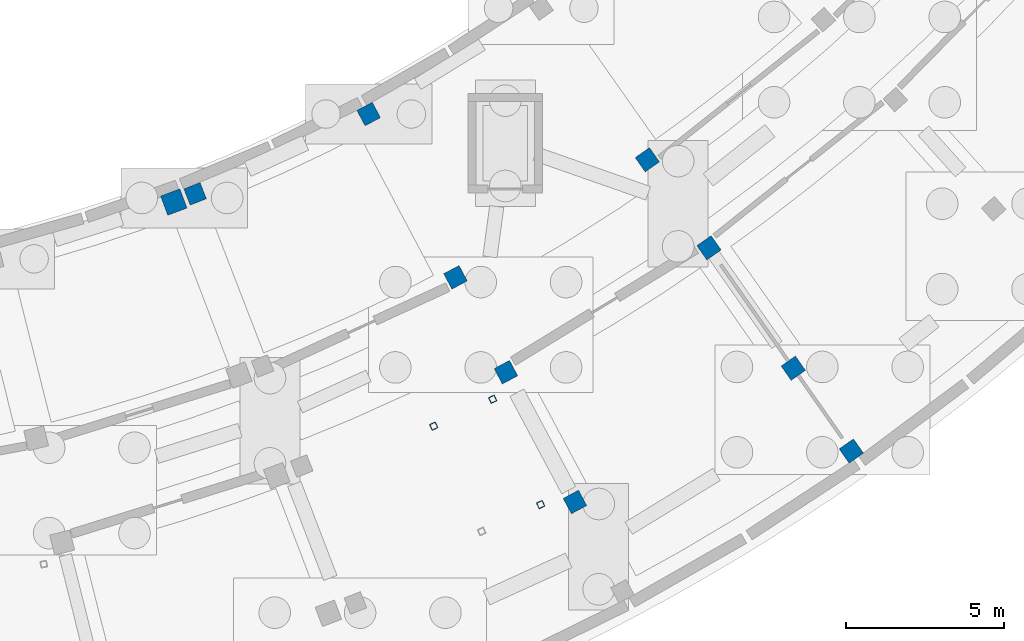
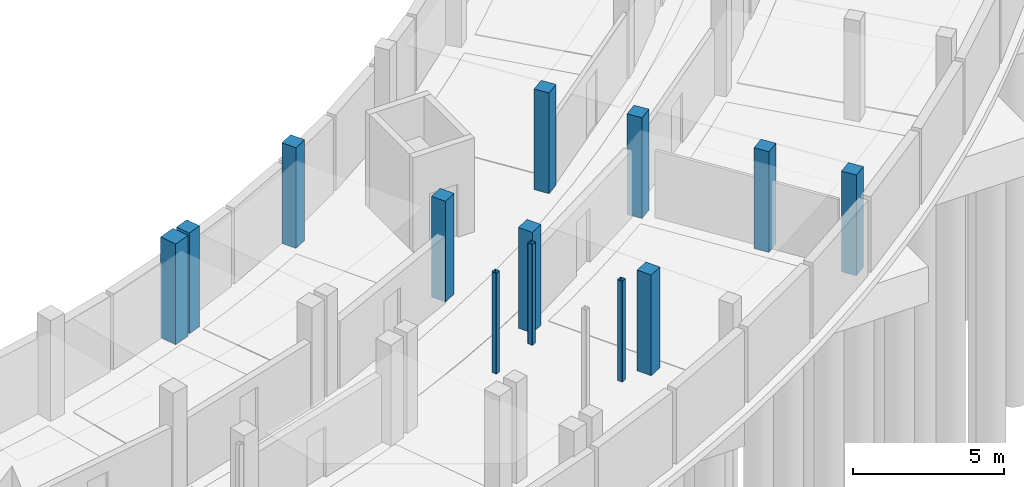
# One storey, part 21 of 58: 13 columns.
"""IFC4 building model written with IfcOpenShell, lengths in metres."""

from ifc_helpers import new_model, si_unit, direction, frame, origin, origin_2d, place, context, subcontext, project, spatial, rectangle, hollow_rectangle, extrude, material, material_profile, profile_set, type_object, element, save


model = new_model("IFC4")

# Units and contexts
model_context = context("Model", 3, precision=1e-05, world=origin(), true_north=direction((0.0, 1.0)))
body_context = subcontext(model_context, "Body", "Model", "MODEL_VIEW")
ifc_project = project(units=[si_unit("LENGTHUNIT", "METRE"), si_unit("AREAUNIT", "SQUARE_METRE"), si_unit("VOLUMEUNIT", "CUBIC_METRE"), si_unit("PLANEANGLEUNIT", "RADIAN"), si_unit("MASSUNIT", "GRAM", prefix="KILO")], contexts=[model_context])

# Site, building, storey
site_placement = place(None, origin())
site = spatial("IfcSite", under=ifc_project, at=site_placement, CompositionType="ELEMENT")
building_placement = place(site_placement, origin())
building = spatial("IfcBuilding", under=site, at=building_placement, Name="Caldaven Crescent School", CompositionType="ELEMENT")
storey_placement = place(building_placement, frame((0.0, 0.0, -4.080078125)))
storey = spatial("IfcBuildingStorey", under=building, at=storey_placement, Name="B1", CompositionType="ELEMENT", Elevation=-4.080078125)

# Columns
ifc_material_1 = material(Name="Steel ASTM A572 Grade 50", Category="steel")
ifc_material_profile_1 = material_profile(ifc_material_1, hollow_rectangle(XDim=0.199951171875, YDim=0.199951171875, WallThickness=0.010009765625, InnerFilletRadius=0.010009765625, OuterFilletRadius=0.02001953125, at=origin_2d()), Name="HSS 200x200x10")
ifc_profile_set_1 = profile_set([ifc_material_profile_1], Name="Steel ASTM A572 Grade 50")
column_type_1 = type_object("IfcColumnType", Name="COL-HS20", PredefinedType="COLUMN", material=ifc_profile_set_1)
for number, where, z_axis, x_axis, name in (
    (1, (114.681640625, 39.81591796875, 0.0), (0.0, 0.0, 1.0), (0.909961270877, 0.414693242656, 0.0), "COL-STPOST-ST4-B1-B"),
    (2, (118.064697265625, 37.33544921875, 0.0), (0.0, 0.0, 1.0), (0.909961270877, 0.414693242656, 0.0), "COL-STPOST-ST4-B1-C"),
    (3, (116.546875, 40.666015625, 0.0), (0.0, 0.0, 1.0), (0.909961270877, 0.414693242656, 0.0), "COL-STPOST-ST4-B1-D"),
):
    element("IfcColumn", number, at=place(storey_placement, frame(where, z_axis=z_axis, x_axis=x_axis)), inside=storey, type_object=column_type_1, Name=name, PredefinedType="COLUMN", context=body_context, shape_type="SweptSolid", body=[
        extrude(hollow_rectangle(XDim=0.199951171875, YDim=0.199951171875, WallThickness=0.010009765625, InnerFilletRadius=0.010009765625, OuterFilletRadius=0.02001953125, at=origin_2d()), origin(), (0.0, 0.0, 1.0), 4.080078125),
    ])
ifc_material_2 = material(Name="Concrete C35/45", Category="concrete")
ifc_material_profile_2 = material_profile(ifc_material_2, rectangle(XDim=0.550048828125, YDim=0.550048828125, at=origin_2d()), Name="RC 550x550")
ifc_profile_set_2 = profile_set([ifc_material_profile_2], Name="Concrete C35/45")
column_type_2 = type_object("IfcColumnType", Name="COL-RC55", PredefinedType="COLUMN", material=ifc_profile_set_2)
for number, where, z_axis, x_axis, name in (
    (4, (107.133056640625, 47.164306640625, 0.0), (0.0, 0.0, 1.0), (0.364714278886, -0.931119484694, 0.0), "COL-V4E-B1-00-0"),
    (5, (112.623779296875, 49.689453125, 0.0), (0.0, 0.0, 1.0), (0.469471562786, -0.882947592859, 0.0), "COL-V4E-B1-01-0"),
    (6, (115.3701171875, 44.524169921875, 0.0), (0.0, 0.0, 1.0), (0.469471562786, -0.882947592859, 0.0), "COL-V4E-B1-01-1"),
    (7, (116.96630859375, 41.522216796875, 0.0), (0.0, 0.0, 1.0), (0.469471562786, -0.882947592859, 0.0), "COL-V4E-B1-01-2"),
    (8, (119.1494140625, 37.41650390625, 0.0), (0.0, 0.0, 1.0), (0.469471562786, -0.882947592859, 0.0), "COL-V4E-B1-01-3"),
    (9, (121.439453125, 48.243408203125, 0.0), (0.0, 0.0, 1.0), (0.573576436351, -0.819152044289, 0.0), "COL-V4E-B1-02-1"),
    (10, (123.3896484375, 45.458251953125, 0.0), (0.0, 0.0, 1.0), (0.573576436351, -0.819152044289, 0.0), "COL-V4E-B1-02-2"),
    (11, (126.056884765625, 41.649169921875, 0.0), (0.0, 0.0, 1.0), (0.573576436351, -0.819152044289, 0.0), "COL-V4E-B1-02-3"),
    (12, (127.892333984375, 39.028076171875, 0.0), (0.0, 0.0, 1.0), (0.573576436351, -0.819152044289, 0.0), "COL-V4E-B1-02-4"),
):
    element("IfcColumn", number, at=place(storey_placement, frame(where, z_axis=z_axis, x_axis=x_axis)), inside=storey, type_object=column_type_2, Name=name, PredefinedType="COLUMN", context=body_context, shape_type="SweptSolid", body=[
        extrude(rectangle(XDim=0.550048828125, YDim=0.550048828125, at=origin_2d()), origin(), (0.0, 0.0, 1.0), 4.080078125),
    ])
ifc_material_profile_3 = material_profile(ifc_material_2, rectangle(XDim=0.64990234375, YDim=0.64990234375, at=origin_2d()), Name="RC 650x650")
ifc_profile_set_3 = profile_set([ifc_material_profile_3], Name="Concrete C35/45")
column_type_3 = type_object("IfcColumnType", Name="COL-RC65", PredefinedType="COLUMN", material=ifc_profile_set_3)
column_placement = place(storey_placement, frame((106.458740234375, 46.905517578125, 0.0), z_axis=(0.0, 0.0, 1.0), x_axis=(0.352005016254, -0.93599811353, 0.0)))
element("IfcColumn", 13, at=column_placement, inside=storey, type_object=column_type_3, Name="COL-V5-B1-06-0", PredefinedType="COLUMN", context=body_context, shape_type="SweptSolid", body=[
    extrude(rectangle(XDim=0.64990234375, YDim=0.64990234375, at=origin_2d()), origin(), (0.0, 0.0, 1.0), 4.080078125),
])

save(model, "model.ifc")
